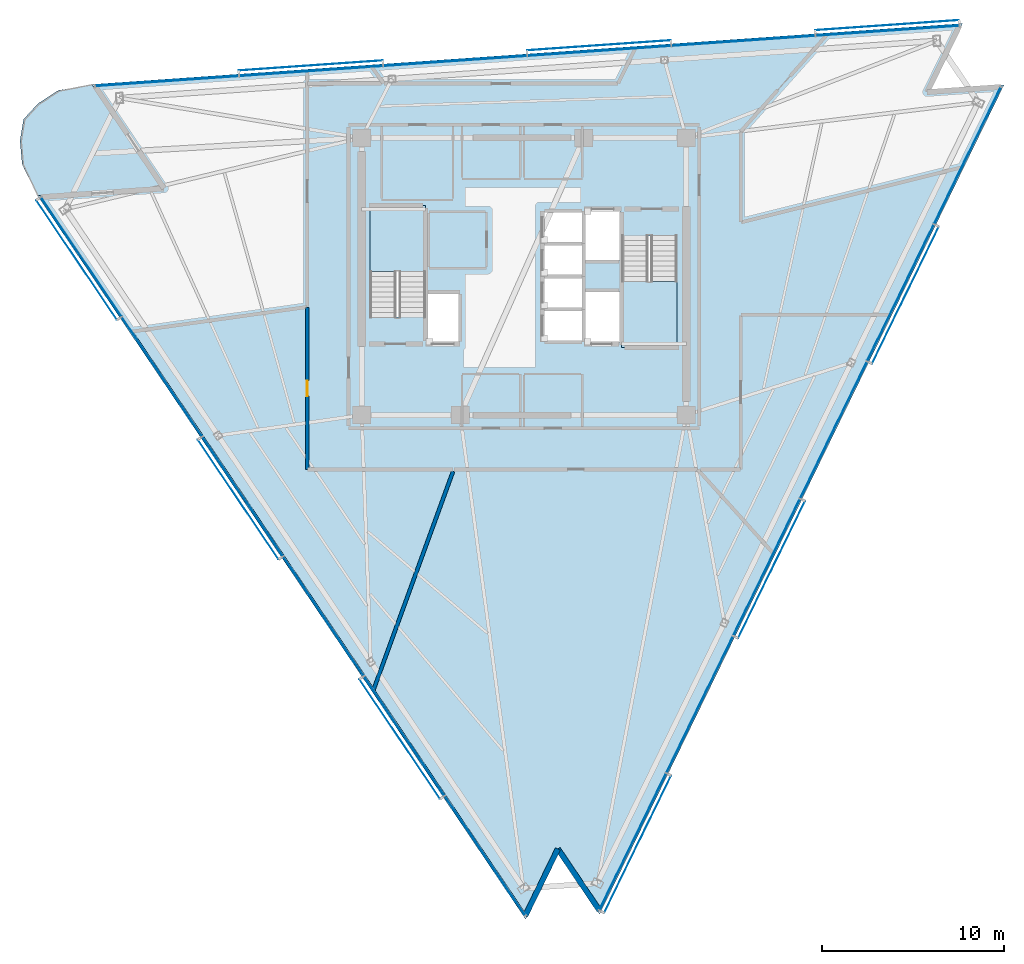
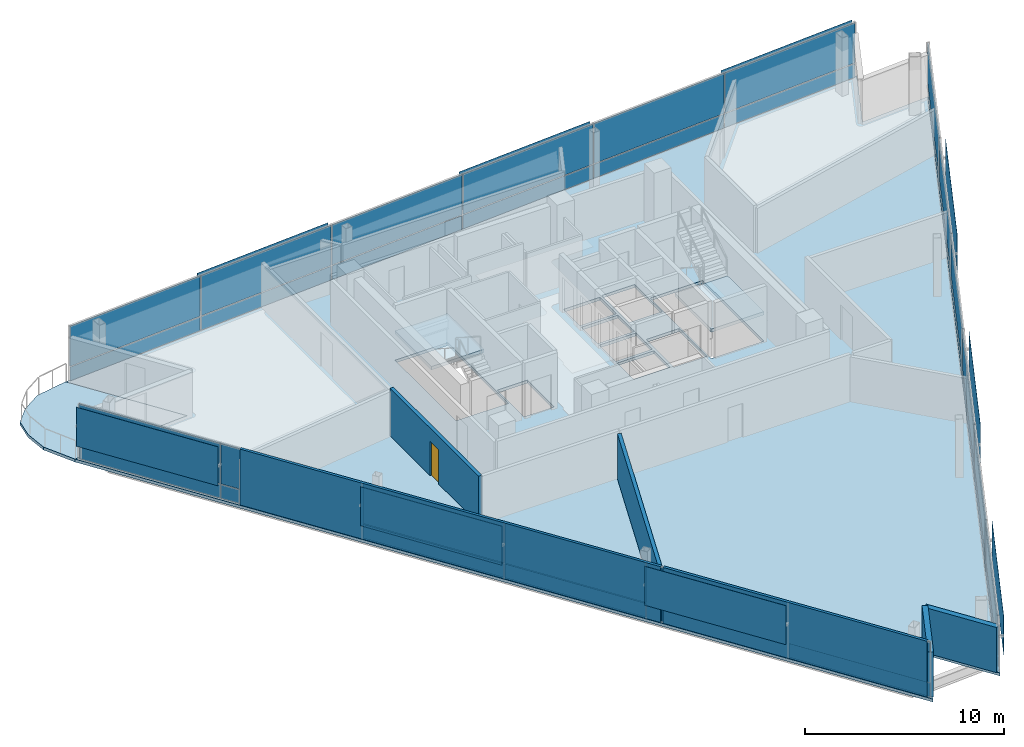
# One storey, part 8 of 16: 45 plates, 6 walls, 4 slabs, 1 door, 1 opening, 5 elements without a shape of their own.
"""IFC4 building model written with IfcOpenShell, lengths in metres."""

from ifc_helpers import new_model, si_unit, direction, frame, frame_2d, origin, origin_2d, place, context, subcontext, project, spatial, polyline, rectangle, outline, extrude, material, layer, layer_set, type_object, element, fill, aggregate, save


model = new_model("IFC4")

# Units and contexts
model_context = context("Model", 3, precision=1e-05, world=origin(), true_north=direction((0.0, 1.0)))
body_context = subcontext(model_context, "Body", "Model", "MODEL_VIEW")
ifc_project = project(units=[si_unit("LENGTHUNIT", "METRE"), si_unit("AREAUNIT", "SQUARE_METRE"), si_unit("VOLUMEUNIT", "CUBIC_METRE"), si_unit("PLANEANGLEUNIT", "RADIAN"), si_unit("MASSUNIT", "GRAM", prefix="KILO")], contexts=[model_context])

# Site, building, storey
site_placement = place(None, origin())
site = spatial("IfcSite", under=ifc_project, at=site_placement, CompositionType="ELEMENT")
building_placement = place(site_placement, origin())
building = spatial("IfcBuilding", under=site, at=building_placement, Name="Tharavind Bronze Gate", CompositionType="ELEMENT")
storey_placement = place(building_placement, frame((0.0, 0.0, 257.0)))
storey = spatial("IfcBuildingStorey", under=building, at=storey_placement, Name="L66", CompositionType="ELEMENT", Elevation=257.0)

# Plates
ifc_material_1 = material(Name="Perforated Bronze Alloy", Category="bronze")
ifc_layer_1 = layer(ifc_material_1, 0.011962890625)
ifc_layer_set_1 = layer_set([ifc_layer_1], Name="Perforated Bronze Alloy")
plate_type_1 = type_object("IfcPlateType", Name="BRONZE PERFORATED SOLAR SCREEN", PredefinedType="USERDEFINED", material=ifc_layer_set_1)
for number, where, z_axis, x_axis, name in (
    (1, (-24.528076171875, 0.904052734375, 0.96630859375), (0.0, 0.0, 1.0), (0.559191456526, -0.82903854853, 0.0), "CW-L66-S1 perforated bronze solar screen 1"),
    (2, (-15.670166015625, -12.228515625, 0.96630859375), (0.0, 0.0, 1.0), (0.559191456526, -0.82903854853, 0.0), "CW-L66-S1 perforated bronze solar screen 3"),
    (3, (-6.812255859375, -25.361083984375, 0.96630859375), (0.0, 0.0, 1.0), (0.559191456526, -0.82903854853, 0.0), "CW-L66-S1 perforated bronze solar screen 5"),
):
    element("IfcPlate", number, at=place(storey_placement, frame(where, z_axis=z_axis, x_axis=x_axis)), inside=storey, type_object=plate_type_1, Name=name, ObjectType="SCREEN", PredefinedType="USERDEFINED", context=body_context, shape_type="SweptSolid", body=[
        extrude(rectangle(XDim=7.900390625, YDim=0.011962890625, at=origin_2d()), origin(), (0.0, 0.0, 1.0), 2.386962890625),
    ])
for number, where, z_axis, x_axis, name in (
    (4, (6.234130859375, -31.12841796875, 0.96630859375), (0.0, 0.0, 1.0), (0.43837271548, 0.898793281196, 0.0), "CW-L66-S2 perforated bronze solar screen 1"),
    (5, (13.57470703125, -16.078369140625, 0.96630859375), (0.0, 0.0, 1.0), (0.43837271548, 0.898793281196, 0.0), "CW-L66-S2 perforated bronze solar screen 3"),
    (6, (20.9150390625, -1.0283203125, 0.96630859375), (0.0, 0.0, 1.0), (0.43837271548, 0.898793281196, 0.0), "CW-L66-S2 perforated bronze solar screen 5"),
):
    element("IfcPlate", number, at=place(storey_placement, frame(where, z_axis=z_axis, x_axis=x_axis)), inside=storey, type_object=plate_type_1, Name=name, ObjectType="SCREEN", PredefinedType="USERDEFINED", context=body_context, shape_type="SweptSolid", body=[
        extrude(rectangle(XDim=8.352294921875, YDim=0.011962890625, at=origin_2d()), origin(), (0.0, 0.0, 1.0), 2.386962890625),
    ])
for number, where, z_axis, x_axis, name in (
    (7, (19.909423828125, 13.779052734375, 0.96630859375), (0.0, 0.0, 1.0), (-0.997563806758, -0.069759955899, 0.0), "CW-L66-S3 perforated bronze solar screen 1"),
    (8, (4.107421875, 12.674072265625, 0.96630859375), (0.0, 0.0, 1.0), (-0.997563806758, -0.069759955899, 0.0), "CW-L66-S3 perforated bronze solar screen 3"),
    (9, (-11.69482421875, 11.569091796875, 0.96630859375), (0.0, 0.0, 1.0), (-0.997563806758, -0.069759955899, 0.0), "CW-L66-S3 perforated bronze solar screen 5"),
):
    element("IfcPlate", number, at=place(storey_placement, frame(where, z_axis=z_axis, x_axis=x_axis)), inside=storey, type_object=plate_type_1, Name=name, ObjectType="SCREEN", PredefinedType="USERDEFINED", context=body_context, shape_type="SweptSolid", body=[
        extrude(rectangle(XDim=7.900390625, YDim=0.011962890625, at=origin_2d()), origin(), (0.0, 0.0, 1.0), 2.386962890625),
    ])

# Curtain wall, plates
ifc_material_2 = material(Name="Anodised Bronze Aluminium", Category="aluminium")
ifc_layer_2 = layer(ifc_material_2, 0.219970703125)
ifc_layer_set_2 = layer_set([ifc_layer_2], Name="Anodised Bronze Aluminium")
curtain_wall_type = type_object("IfcCurtainWallType", Name="UNITISED CURTAIN WALL UPPER OFFICE", PredefinedType="USERDEFINED", material=ifc_layer_set_2)
curtain_wall_1_placement = place(storey_placement, origin())
curtain_wall_1 = element("IfcCurtainWall", 10, at=curtain_wall_1_placement, inside=storey, type_object=curtain_wall_type, Name="L66 unitised curtain wall upper office CW-L66-S1", ObjectType="UNITISED CURTAIN WALL", PredefinedType="USERDEFINED")
ifc_material_3 = material(Name="Patinated Bronze Alloy Sheet", Category="bronze")
ifc_layer_3 = layer(ifc_material_3, 0.01611328125)
ifc_layer_set_3 = layer_set([ifc_layer_3], Name="Patinated Bronze Alloy Sheet")
plate_type_2 = type_object("IfcPlateType", Name="BRONZE SPANDREL CLADDING PANEL 16", PredefinedType="CURTAIN_PANEL", material=ifc_layer_set_3)
plate_1_placement = place(storey_placement, frame((-24.283447265625, 1.069091796875, 0.0263671875), z_axis=(0.0, 0.0, 1.0), x_axis=(0.559191456526, -0.82903854853, 0.0)))
plate_1 = element("IfcPlate", 11, at=plate_1_placement, type_object=plate_type_2, Name="CW-L66-S1 bronze spandrel panel 1", PredefinedType="CURTAIN_PANEL", context=body_context, shape_type="SweptSolid", body=[
    extrude(rectangle(XDim=7.8671875, YDim=0.01611328125, at=origin_2d()), origin(), (0.0, 0.0, 1.0), 0.846923828125),
])
plate_2_placement = place(storey_placement, frame((-19.8544921875, -5.497314453125, 0.0263671875), z_axis=(0.0, 0.0, 1.0), x_axis=(0.559191456526, -0.82903854853, 0.0)))
plate_2 = element("IfcPlate", 12, at=plate_2_placement, type_object=plate_type_2, Name="CW-L66-S1 bronze spandrel panel 2", PredefinedType="CURTAIN_PANEL", context=body_context, shape_type="SweptSolid", body=[
    extrude(rectangle(XDim=7.8671875, YDim=0.01611328125, at=origin_2d()), origin(), (0.0, 0.0, 1.0), 0.846923828125),
])
plate_3_placement = place(storey_placement, frame((-15.425537109375, -12.0634765625, 0.0263671875), z_axis=(0.0, 0.0, 1.0), x_axis=(0.559191456526, -0.82903854853, 0.0)))
plate_3 = element("IfcPlate", 13, at=plate_3_placement, type_object=plate_type_2, Name="CW-L66-S1 bronze spandrel panel 3", PredefinedType="CURTAIN_PANEL", context=body_context, shape_type="SweptSolid", body=[
    extrude(rectangle(XDim=7.8671875, YDim=0.01611328125, at=origin_2d()), origin(), (0.0, 0.0, 1.0), 0.846923828125),
])
plate_4_placement = place(storey_placement, frame((-10.99658203125, -18.629638671875, 0.0263671875), z_axis=(0.0, 0.0, 1.0), x_axis=(0.559191456526, -0.82903854853, 0.0)))
plate_4 = element("IfcPlate", 14, at=plate_4_placement, type_object=plate_type_2, Name="CW-L66-S1 bronze spandrel panel 4", PredefinedType="CURTAIN_PANEL", context=body_context, shape_type="SweptSolid", body=[
    extrude(rectangle(XDim=7.8671875, YDim=0.01611328125, at=origin_2d()), origin(), (0.0, 0.0, 1.0), 0.846923828125),
])
plate_5_placement = place(storey_placement, frame((-6.567626953125, -25.196044921875, 0.0263671875), z_axis=(0.0, 0.0, 1.0), x_axis=(0.559191456526, -0.82903854853, 0.0)))
plate_5 = element("IfcPlate", 15, at=plate_5_placement, type_object=plate_type_2, Name="CW-L66-S1 bronze spandrel panel 5", PredefinedType="CURTAIN_PANEL", context=body_context, shape_type="SweptSolid", body=[
    extrude(rectangle(XDim=7.8671875, YDim=0.01611328125, at=origin_2d()), origin(), (0.0, 0.0, 1.0), 0.846923828125),
])
plate_6_placement = place(storey_placement, frame((-2.138671875, -31.76220703125, 0.0263671875), z_axis=(0.0, 0.0, 1.0), x_axis=(0.559191456526, -0.82903854853, 0.0)))
plate_6 = element("IfcPlate", 16, at=plate_6_placement, type_object=plate_type_2, Name="CW-L66-S1 bronze spandrel panel 6", PredefinedType="CURTAIN_PANEL", context=body_context, shape_type="SweptSolid", body=[
    extrude(rectangle(XDim=7.8671875, YDim=0.01611328125, at=origin_2d()), origin(), (0.0, 0.0, 1.0), 0.846923828125),
])

curtain_wall_2_placement = place(storey_placement, origin())
curtain_wall_2 = element("IfcCurtainWall", 17, at=curtain_wall_2_placement, inside=storey, type_object=curtain_wall_type, Name="L66 unitised curtain wall upper office CW-L66-S2", ObjectType="UNITISED CURTAIN WALL", PredefinedType="USERDEFINED")
plate_7_placement = place(storey_placement, frame((5.968994140625, -30.9990234375, 0.0263671875), z_axis=(0.0, 0.0, 1.0), x_axis=(0.43837271548, 0.898793281196, 0.0)))
plate_7 = element("IfcPlate", 18, at=plate_7_placement, type_object=plate_type_2, Name="CW-L66-S2 bronze spandrel panel 1", PredefinedType="CURTAIN_PANEL", context=body_context, shape_type="SweptSolid", body=[
    extrude(rectangle(XDim=8.3193359375, YDim=0.01611328125, at=origin_2d()), origin(), (0.0, 0.0, 1.0), 0.846923828125),
])
plate_8_placement = place(storey_placement, frame((9.639404296875, -23.47412109375, 0.0263671875), z_axis=(0.0, 0.0, 1.0), x_axis=(0.43837271548, 0.898793281196, 0.0)))
plate_8 = element("IfcPlate", 19, at=plate_8_placement, type_object=plate_type_2, Name="CW-L66-S2 bronze spandrel panel 2", PredefinedType="CURTAIN_PANEL", context=body_context, shape_type="SweptSolid", body=[
    extrude(rectangle(XDim=8.3193359375, YDim=0.01611328125, at=origin_2d()), origin(), (0.0, 0.0, 1.0), 0.846923828125),
])
plate_9_placement = place(storey_placement, frame((13.3095703125, -15.94921875, 0.0263671875), z_axis=(0.0, 0.0, 1.0), x_axis=(0.43837271548, 0.898793281196, 0.0)))
plate_9 = element("IfcPlate", 20, at=plate_9_placement, type_object=plate_type_2, Name="CW-L66-S2 bronze spandrel panel 3", PredefinedType="CURTAIN_PANEL", context=body_context, shape_type="SweptSolid", body=[
    extrude(rectangle(XDim=8.3193359375, YDim=0.01611328125, at=origin_2d()), origin(), (0.0, 0.0, 1.0), 0.846923828125),
])
plate_10_placement = place(storey_placement, frame((16.979736328125, -8.424072265625, 0.0263671875), z_axis=(0.0, 0.0, 1.0), x_axis=(0.43837271548, 0.898793281196, 0.0)))
plate_10 = element("IfcPlate", 21, at=plate_10_placement, type_object=plate_type_2, Name="CW-L66-S2 bronze spandrel panel 4", PredefinedType="CURTAIN_PANEL", context=body_context, shape_type="SweptSolid", body=[
    extrude(rectangle(XDim=8.3193359375, YDim=0.01611328125, at=origin_2d()), origin(), (0.0, 0.0, 1.0), 0.846923828125),
])
plate_11_placement = place(storey_placement, frame((20.64990234375, -0.89892578125, 0.0263671875), z_axis=(0.0, 0.0, 1.0), x_axis=(0.43837271548, 0.898793281196, 0.0)))
plate_11 = element("IfcPlate", 22, at=plate_11_placement, type_object=plate_type_2, Name="CW-L66-S2 bronze spandrel panel 5", PredefinedType="CURTAIN_PANEL", context=body_context, shape_type="SweptSolid", body=[
    extrude(rectangle(XDim=8.3193359375, YDim=0.01611328125, at=origin_2d()), origin(), (0.0, 0.0, 1.0), 0.846923828125),
])
plate_12_placement = place(storey_placement, frame((24.3203125, 6.6259765625, 0.0263671875), z_axis=(0.0, 0.0, 1.0), x_axis=(0.43837271548, 0.898793281196, 0.0)))
plate_12 = element("IfcPlate", 23, at=plate_12_placement, type_object=plate_type_2, Name="CW-L66-S2 bronze spandrel panel 6", PredefinedType="CURTAIN_PANEL", context=body_context, shape_type="SweptSolid", body=[
    extrude(rectangle(XDim=8.3193359375, YDim=0.01611328125, at=origin_2d()), origin(), (0.0, 0.0, 1.0), 0.846923828125),
])

curtain_wall_3_placement = place(storey_placement, origin())
curtain_wall_3 = element("IfcCurtainWall", 24, at=curtain_wall_3_placement, inside=storey, type_object=curtain_wall_type, Name="L66 unitised curtain wall upper office CW-L66-S3", ObjectType="UNITISED CURTAIN WALL", PredefinedType="USERDEFINED")
plate_13_placement = place(storey_placement, frame((19.929931640625, 13.48486328125, 0.0263671875), z_axis=(0.0, 0.0, 1.0), x_axis=(-0.997563806758, -0.069759955899, 0.0)))
plate_13 = element("IfcPlate", 25, at=plate_13_placement, type_object=plate_type_2, Name="CW-L66-S3 bronze spandrel panel 1", PredefinedType="CURTAIN_PANEL", context=body_context, shape_type="SweptSolid", body=[
    extrude(rectangle(XDim=7.8671875, YDim=0.01611328125, at=origin_2d()), origin(), (0.0, 0.0, 1.0), 0.846923828125),
])
plate_14_placement = place(storey_placement, frame((12.02880859375, 12.932373046875, 0.0263671875), z_axis=(0.0, 0.0, 1.0), x_axis=(-0.997563806758, -0.069759955899, 0.0)))
plate_14 = element("IfcPlate", 26, at=plate_14_placement, type_object=plate_type_2, Name="CW-L66-S3 bronze spandrel panel 2", PredefinedType="CURTAIN_PANEL", context=body_context, shape_type="SweptSolid", body=[
    extrude(rectangle(XDim=7.8671875, YDim=0.01611328125, at=origin_2d()), origin(), (0.0, 0.0, 1.0), 0.846923828125),
])
plate_15_placement = place(storey_placement, frame((4.1279296875, 12.3798828125, 0.0263671875), z_axis=(0.0, 0.0, 1.0), x_axis=(-0.997563806758, -0.069759955899, 0.0)))
plate_15 = element("IfcPlate", 27, at=plate_15_placement, type_object=plate_type_2, Name="CW-L66-S3 bronze spandrel panel 3", PredefinedType="CURTAIN_PANEL", context=body_context, shape_type="SweptSolid", body=[
    extrude(rectangle(XDim=7.8671875, YDim=0.01611328125, at=origin_2d()), origin(), (0.0, 0.0, 1.0), 0.846923828125),
])
plate_16_placement = place(storey_placement, frame((-3.773193359375, 11.827392578125, 0.0263671875), z_axis=(0.0, 0.0, 1.0), x_axis=(-0.997563806758, -0.069759955899, 0.0)))
plate_16 = element("IfcPlate", 28, at=plate_16_placement, type_object=plate_type_2, Name="CW-L66-S3 bronze spandrel panel 4", PredefinedType="CURTAIN_PANEL", context=body_context, shape_type="SweptSolid", body=[
    extrude(rectangle(XDim=7.8671875, YDim=0.01611328125, at=origin_2d()), origin(), (0.0, 0.0, 1.0), 0.846923828125),
])
plate_17_placement = place(storey_placement, frame((-11.67431640625, 11.27490234375, 0.0263671875), z_axis=(0.0, 0.0, 1.0), x_axis=(-0.997563806758, -0.069759955899, 0.0)))
plate_17 = element("IfcPlate", 29, at=plate_17_placement, type_object=plate_type_2, Name="CW-L66-S3 bronze spandrel panel 5", PredefinedType="CURTAIN_PANEL", context=body_context, shape_type="SweptSolid", body=[
    extrude(rectangle(XDim=7.8671875, YDim=0.01611328125, at=origin_2d()), origin(), (0.0, 0.0, 1.0), 0.846923828125),
])
plate_18_placement = place(storey_placement, frame((-19.5751953125, 10.722412109375, 0.0263671875), z_axis=(0.0, 0.0, 1.0), x_axis=(-0.997563806758, -0.069759955899, 0.0)))
plate_18 = element("IfcPlate", 30, at=plate_18_placement, type_object=plate_type_2, Name="CW-L66-S3 bronze spandrel panel 6", PredefinedType="CURTAIN_PANEL", context=body_context, shape_type="SweptSolid", body=[
    extrude(rectangle(XDim=7.8671875, YDim=0.01611328125, at=origin_2d()), origin(), (0.0, 0.0, 1.0), 0.846923828125),
])

# Slab
ifc_material_4 = material(Name="Concrete C40/50", Category="concrete")
ifc_layer_4 = layer(ifc_material_4, 0.179931640625)
ifc_layer_set_4 = layer_set([ifc_layer_4], Name="Concrete C40/50")
slab_type_1 = type_object("IfcSlabType", Name="EXTERIOR BALCONY SLAB 180", PredefinedType="FLOOR", material=ifc_layer_set_4)
slab_1_placement = place(storey_placement, frame((0.0, 0.0, -0.179931640625)))
element("IfcSlab", 31, at=slab_1_placement, inside=storey, type_object=slab_type_1, Name="L66 northeast tree balcony slab", PredefinedType="FLOOR", context=body_context, shape_type="SweptSolid", body=[
    extrude(outline(polyline([(-25.535888671875, 10.203125), (-26.644287109375, 9.48681640625), (-27.443359375, 8.618896484375), (-27.63525390625, 7.455322265625), (-27.51708984375, 6.140625), (-26.677734375, 4.43994140625), (-19.914306640625, 4.912841796875), (-23.70556640625, 10.53369140625), (-25.535888671875, 10.203125)])), origin(), (0.0, 0.0, 1.0), 0.179931640625),
])

# Stair, slab
stair_type = type_object("IfcStairType", Name="CORE HALF TURN STAIR 1450", PredefinedType="HALF_TURN_STAIR", material=ifc_material_4)
stair_1_placement = place(storey_placement, origin())
stair_1 = element("IfcStair", 32, at=stair_1_placement, inside=storey, type_object=stair_type, Name="L66 Protected Exit Stair ST1", PredefinedType="HALF_TURN_STAIR")
ifc_layer_5 = layer(ifc_material_4, 0.199951171875)
ifc_layer_set_5 = layer_set([ifc_layer_5], Name="Concrete C40/50")
slab_type_2 = type_object("IfcSlabType", Name="STAIR LANDING SLAB 200", PredefinedType="LANDING", material=ifc_layer_set_5)
slab_2_placement = place(storey_placement, frame((0.0, 0.0, 1.60009765625)))
slab_2 = element("IfcSlab", 33, at=slab_2_placement, type_object=slab_type_2, Name="ST1 landing 1", PredefinedType="LANDING", context=body_context, shape_type="SweptSolid", body=[
    extrude(outline(polyline([(-5.39990234375, 0.27001953125), (-5.39990234375, 3.89990234375), (-8.449951171875, 3.89990234375), (-8.449951171875, 0.27001953125), (-5.39990234375, 0.27001953125)])), origin(), (0.0, 0.0, 1.0), 0.199951171875),
])
aggregate(stair_1, [slab_2])

stair_2_placement = place(storey_placement, origin())
stair_2 = element("IfcStair", 34, at=stair_2_placement, inside=storey, type_object=stair_type, Name="L66 Protected Exit Stair ST2", PredefinedType="HALF_TURN_STAIR")
slab_3_placement = place(storey_placement, frame((0.0, 0.0, 1.60009765625)))
slab_3 = element("IfcSlab", 35, at=slab_3_placement, type_object=slab_type_2, Name="ST2 landing 1", PredefinedType="LANDING", context=body_context, shape_type="SweptSolid", body=[
    extrude(outline(polyline([(5.35009765625, -0.27001953125), (5.35009765625, -3.89990234375), (8.39990234375, -3.89990234375), (8.39990234375, -0.27001953125), (5.35009765625, -0.27001953125)])), origin(), (0.0, 0.0, 1.0), 0.199951171875),
])
aggregate(stair_2, [slab_3])

# Slab
ifc_layer_6 = layer(ifc_material_4, 0.179931640625)
ifc_layer_set_6 = layer_set([ifc_layer_6], Name="Concrete C40/50")
slab_type_3 = type_object("IfcSlabType", Name="STRUCTURAL FLOOR SLAB 180", PredefinedType="FLOOR", material=ifc_layer_set_6)
slab_4_placement = place(storey_placement, frame((0.0, 0.0, -0.179931640625)))
element("IfcSlab", 36, at=slab_4_placement, inside=storey, type_object=slab_type_3, Name="L66 main structural floor slab", PredefinedType="FLOOR", context=body_context, shape_type="SweptSolid", body=[
    extrude(outline(polyline([(-23.70556640625, 10.53369140625), (-19.914306640625, 4.912841796875), (-26.677734375, 4.43994140625), (0.08984375, -35.244873046875), (1.873291015625, -31.588623046875), (4.14794921875, -34.961181640625), (26.321044921875, 10.500244140625), (22.262939453125, 10.216552734375), (24.04638671875, 13.872802734375), (-23.70556640625, 10.53369140625)]), holes=[polyline([(-5.39990234375, -2.215087890625), (-5.39990234375, 3.89990234375), (-8.449951171875, 3.89990234375), (-8.449951171875, -2.215087890625), (-5.39990234375, -2.215087890625)]), polyline([(5.35009765625, 2.215087890625), (5.35009765625, -3.89990234375), (8.39990234375, -3.89990234375), (8.39990234375, 2.215087890625), (5.35009765625, 2.215087890625)]), polyline([(1.080078125, -3.52001953125), (3.199951171875, -3.52001953125), (3.199951171875, -1.8798828125), (1.080078125, -1.8798828125), (1.080078125, -3.52001953125)]), polyline([(1.080078125, -1.719970703125), (3.199951171875, -1.719970703125), (3.199951171875, -0.080078125), (1.080078125, -0.080078125), (1.080078125, -1.719970703125)]), polyline([(1.080078125, 0.080078125), (3.199951171875, 0.080078125), (3.199951171875, 1.719970703125), (1.080078125, 1.719970703125), (1.080078125, 0.080078125)]), polyline([(1.080078125, 1.8798828125), (3.199951171875, 1.8798828125), (3.199951171875, 3.52001953125), (1.080078125, 3.52001953125), (1.080078125, 1.8798828125)]), polyline([(-5.320068359375, -3.6201171875), (-3.580078125, -3.6201171875), (-3.580078125, -0.929931640625), (-5.320068359375, -0.929931640625), (-5.320068359375, -3.6201171875)]), polyline([(3.360107421875, 0.8798828125), (5.27001953125, 0.8798828125), (5.27001953125, 3.6201171875), (3.360107421875, 3.6201171875), (3.360107421875, 0.8798828125)]), polyline([(3.360107421875, -3.6201171875), (5.27001953125, -3.6201171875), (5.27001953125, -0.830078125), (3.360107421875, -0.830078125), (3.360107421875, -3.6201171875)])]), origin(), (0.0, 0.0, 1.0), 0.179931640625),
])

# Plate
ifc_material_5 = material(Name="Triple Solar Control Glazing", Category="glass")
ifc_layer_7 = layer(ifc_material_5, 0.0439453125)
ifc_layer_set_7 = layer_set([ifc_layer_7], Name="Triple Solar Control Glazing")
plate_type_3 = type_object("IfcPlateType", Name="TRIPLE GLAZED FACADE PANEL 44", PredefinedType="CURTAIN_PANEL", material=ifc_layer_set_7)
plate_19_placement = place(storey_placement, frame((-24.283447265625, 1.069091796875, 0.92626953125), z_axis=(0.0, 0.0, 1.0), x_axis=(0.559191456526, -0.82903854853, 0.0)))
plate_19 = element("IfcPlate", 37, at=plate_19_placement, type_object=plate_type_3, Name="CW-L66-S1 vision glazing panel 1", PredefinedType="CURTAIN_PANEL", context=body_context, shape_type="SweptSolid", body=[
    extrude(rectangle(XDim=7.8671875, YDim=0.0439453125, at=origin_2d()), origin(), (0.0, 0.0, 1.0), 2.467041015625),
])

plate_20_placement = place(storey_placement, frame((-19.8544921875, -5.497314453125, 0.92626953125), z_axis=(0.0, 0.0, 1.0), x_axis=(0.559191456526, -0.82903854853, 0.0)))
plate_20 = element("IfcPlate", 38, at=plate_20_placement, type_object=plate_type_3, Name="CW-L66-S1 vision glazing panel 2", PredefinedType="CURTAIN_PANEL", context=body_context, shape_type="SweptSolid", body=[
    extrude(rectangle(XDim=7.8671875, YDim=0.0439453125, at=origin_2d()), origin(), (0.0, 0.0, 1.0), 2.467041015625),
])

plate_21_placement = place(storey_placement, frame((-15.425537109375, -12.0634765625, 0.92626953125), z_axis=(0.0, 0.0, 1.0), x_axis=(0.559191456526, -0.82903854853, 0.0)))
plate_21 = element("IfcPlate", 39, at=plate_21_placement, type_object=plate_type_3, Name="CW-L66-S1 vision glazing panel 3", PredefinedType="CURTAIN_PANEL", context=body_context, shape_type="SweptSolid", body=[
    extrude(rectangle(XDim=7.8671875, YDim=0.0439453125, at=origin_2d()), origin(), (0.0, 0.0, 1.0), 2.467041015625),
])

plate_22_placement = place(storey_placement, frame((-10.99658203125, -18.629638671875, 0.92626953125), z_axis=(0.0, 0.0, 1.0), x_axis=(0.559191456526, -0.82903854853, 0.0)))
plate_22 = element("IfcPlate", 40, at=plate_22_placement, type_object=plate_type_3, Name="CW-L66-S1 vision glazing panel 4", PredefinedType="CURTAIN_PANEL", context=body_context, shape_type="SweptSolid", body=[
    extrude(rectangle(XDim=7.8671875, YDim=0.0439453125, at=origin_2d()), origin(), (0.0, 0.0, 1.0), 2.467041015625),
])

plate_23_placement = place(storey_placement, frame((-6.567626953125, -25.196044921875, 0.92626953125), z_axis=(0.0, 0.0, 1.0), x_axis=(0.559191456526, -0.82903854853, 0.0)))
plate_23 = element("IfcPlate", 41, at=plate_23_placement, type_object=plate_type_3, Name="CW-L66-S1 vision glazing panel 5", PredefinedType="CURTAIN_PANEL", context=body_context, shape_type="SweptSolid", body=[
    extrude(rectangle(XDim=7.8671875, YDim=0.0439453125, at=origin_2d()), origin(), (0.0, 0.0, 1.0), 2.467041015625),
])

plate_24_placement = place(storey_placement, frame((-2.138671875, -31.76220703125, 0.92626953125), z_axis=(0.0, 0.0, 1.0), x_axis=(0.559191456526, -0.82903854853, 0.0)))
plate_24 = element("IfcPlate", 42, at=plate_24_placement, type_object=plate_type_3, Name="CW-L66-S1 vision glazing panel 6", PredefinedType="CURTAIN_PANEL", context=body_context, shape_type="SweptSolid", body=[
    extrude(rectangle(XDim=7.8671875, YDim=0.0439453125, at=origin_2d()), origin(), (0.0, 0.0, 1.0), 2.467041015625),
])

aggregate(curtain_wall_1, [plate_1, plate_19, plate_2, plate_20, plate_3, plate_21, plate_4, plate_22, plate_5, plate_23, plate_6, plate_24])

plate_25_placement = place(storey_placement, frame((5.968994140625, -30.9990234375, 0.92626953125), z_axis=(0.0, 0.0, 1.0), x_axis=(0.43837271548, 0.898793281196, 0.0)))
plate_25 = element("IfcPlate", 43, at=plate_25_placement, type_object=plate_type_3, Name="CW-L66-S2 vision glazing panel 1", PredefinedType="CURTAIN_PANEL", context=body_context, shape_type="SweptSolid", body=[
    extrude(rectangle(XDim=8.3193359375, YDim=0.0439453125, at=origin_2d()), origin(), (0.0, 0.0, 1.0), 2.467041015625),
])

plate_26_placement = place(storey_placement, frame((9.639404296875, -23.47412109375, 0.92626953125), z_axis=(0.0, 0.0, 1.0), x_axis=(0.43837271548, 0.898793281196, 0.0)))
plate_26 = element("IfcPlate", 44, at=plate_26_placement, type_object=plate_type_3, Name="CW-L66-S2 vision glazing panel 2", PredefinedType="CURTAIN_PANEL", context=body_context, shape_type="SweptSolid", body=[
    extrude(rectangle(XDim=8.3193359375, YDim=0.0439453125, at=origin_2d()), origin(), (0.0, 0.0, 1.0), 2.467041015625),
])

plate_27_placement = place(storey_placement, frame((13.3095703125, -15.94921875, 0.92626953125), z_axis=(0.0, 0.0, 1.0), x_axis=(0.43837271548, 0.898793281196, 0.0)))
plate_27 = element("IfcPlate", 45, at=plate_27_placement, type_object=plate_type_3, Name="CW-L66-S2 vision glazing panel 3", PredefinedType="CURTAIN_PANEL", context=body_context, shape_type="SweptSolid", body=[
    extrude(rectangle(XDim=8.3193359375, YDim=0.0439453125, at=origin_2d()), origin(), (0.0, 0.0, 1.0), 2.467041015625),
])

plate_28_placement = place(storey_placement, frame((16.979736328125, -8.424072265625, 0.92626953125), z_axis=(0.0, 0.0, 1.0), x_axis=(0.43837271548, 0.898793281196, 0.0)))
plate_28 = element("IfcPlate", 46, at=plate_28_placement, type_object=plate_type_3, Name="CW-L66-S2 vision glazing panel 4", PredefinedType="CURTAIN_PANEL", context=body_context, shape_type="SweptSolid", body=[
    extrude(rectangle(XDim=8.3193359375, YDim=0.0439453125, at=origin_2d()), origin(), (0.0, 0.0, 1.0), 2.467041015625),
])

plate_29_placement = place(storey_placement, frame((20.64990234375, -0.89892578125, 0.92626953125), z_axis=(0.0, 0.0, 1.0), x_axis=(0.43837271548, 0.898793281196, 0.0)))
plate_29 = element("IfcPlate", 47, at=plate_29_placement, type_object=plate_type_3, Name="CW-L66-S2 vision glazing panel 5", PredefinedType="CURTAIN_PANEL", context=body_context, shape_type="SweptSolid", body=[
    extrude(rectangle(XDim=8.3193359375, YDim=0.0439453125, at=origin_2d()), origin(), (0.0, 0.0, 1.0), 2.467041015625),
])

plate_30_placement = place(storey_placement, frame((24.3203125, 6.6259765625, 0.92626953125), z_axis=(0.0, 0.0, 1.0), x_axis=(0.43837271548, 0.898793281196, 0.0)))
plate_30 = element("IfcPlate", 48, at=plate_30_placement, type_object=plate_type_3, Name="CW-L66-S2 vision glazing panel 6", PredefinedType="CURTAIN_PANEL", context=body_context, shape_type="SweptSolid", body=[
    extrude(rectangle(XDim=8.3193359375, YDim=0.0439453125, at=origin_2d()), origin(), (0.0, 0.0, 1.0), 2.467041015625),
])

aggregate(curtain_wall_2, [plate_7, plate_25, plate_8, plate_26, plate_9, plate_27, plate_10, plate_28, plate_11, plate_29, plate_12, plate_30])

plate_31_placement = place(storey_placement, frame((19.929931640625, 13.48486328125, 0.92626953125), z_axis=(0.0, 0.0, 1.0), x_axis=(-0.997563806758, -0.069759955899, 0.0)))
plate_31 = element("IfcPlate", 49, at=plate_31_placement, type_object=plate_type_3, Name="CW-L66-S3 vision glazing panel 1", PredefinedType="CURTAIN_PANEL", context=body_context, shape_type="SweptSolid", body=[
    extrude(rectangle(XDim=7.8671875, YDim=0.0439453125, at=origin_2d()), origin(), (0.0, 0.0, 1.0), 2.467041015625),
])

plate_32_placement = place(storey_placement, frame((12.02880859375, 12.932373046875, 0.92626953125), z_axis=(0.0, 0.0, 1.0), x_axis=(-0.997563806758, -0.069759955899, 0.0)))
plate_32 = element("IfcPlate", 50, at=plate_32_placement, type_object=plate_type_3, Name="CW-L66-S3 vision glazing panel 2", PredefinedType="CURTAIN_PANEL", context=body_context, shape_type="SweptSolid", body=[
    extrude(rectangle(XDim=7.8671875, YDim=0.0439453125, at=origin_2d()), origin(), (0.0, 0.0, 1.0), 2.467041015625),
])

plate_33_placement = place(storey_placement, frame((4.1279296875, 12.3798828125, 0.92626953125), z_axis=(0.0, 0.0, 1.0), x_axis=(-0.997563806758, -0.069759955899, 0.0)))
plate_33 = element("IfcPlate", 51, at=plate_33_placement, type_object=plate_type_3, Name="CW-L66-S3 vision glazing panel 3", PredefinedType="CURTAIN_PANEL", context=body_context, shape_type="SweptSolid", body=[
    extrude(rectangle(XDim=7.8671875, YDim=0.0439453125, at=origin_2d()), origin(), (0.0, 0.0, 1.0), 2.467041015625),
])

plate_34_placement = place(storey_placement, frame((-3.773193359375, 11.827392578125, 0.92626953125), z_axis=(0.0, 0.0, 1.0), x_axis=(-0.997563806758, -0.069759955899, 0.0)))
plate_34 = element("IfcPlate", 52, at=plate_34_placement, type_object=plate_type_3, Name="CW-L66-S3 vision glazing panel 4", PredefinedType="CURTAIN_PANEL", context=body_context, shape_type="SweptSolid", body=[
    extrude(rectangle(XDim=7.8671875, YDim=0.0439453125, at=origin_2d()), origin(), (0.0, 0.0, 1.0), 2.467041015625),
])

plate_35_placement = place(storey_placement, frame((-11.67431640625, 11.27490234375, 0.92626953125), z_axis=(0.0, 0.0, 1.0), x_axis=(-0.997563806758, -0.069759955899, 0.0)))
plate_35 = element("IfcPlate", 53, at=plate_35_placement, type_object=plate_type_3, Name="CW-L66-S3 vision glazing panel 5", PredefinedType="CURTAIN_PANEL", context=body_context, shape_type="SweptSolid", body=[
    extrude(rectangle(XDim=7.8671875, YDim=0.0439453125, at=origin_2d()), origin(), (0.0, 0.0, 1.0), 2.467041015625),
])

plate_36_placement = place(storey_placement, frame((-19.5751953125, 10.722412109375, 0.92626953125), z_axis=(0.0, 0.0, 1.0), x_axis=(-0.997563806758, -0.069759955899, 0.0)))
plate_36 = element("IfcPlate", 54, at=plate_36_placement, type_object=plate_type_3, Name="CW-L66-S3 vision glazing panel 6", PredefinedType="CURTAIN_PANEL", context=body_context, shape_type="SweptSolid", body=[
    extrude(rectangle(XDim=7.8671875, YDim=0.0439453125, at=origin_2d()), origin(), (0.0, 0.0, 1.0), 2.467041015625),
])

aggregate(curtain_wall_3, [plate_13, plate_31, plate_14, plate_32, plate_15, plate_33, plate_16, plate_34, plate_17, plate_35, plate_18, plate_36])

# Walls
ifc_layer_8 = layer(ifc_material_4, 0.300048828125)
ifc_layer_set_8 = layer_set([ifc_layer_8], Name="Concrete C40/50")
wall_type_1 = type_object("IfcWallType", Name="EXTERIOR SPANDREL WALL 300", PredefinedType="STANDARD", material=ifc_layer_set_8)
wall_1_placement = place(storey_placement, frame((0.075927734375, -35.04541015625, 0.0), z_axis=(0.0, 0.0, 1.0), x_axis=(0.438357414153, 0.898800744024, 0.0)))
element("IfcWall", 55, at=wall_1_placement, inside=storey, type_object=wall_type_1, Name="L66 notch cheek wall 2A", PredefinedType="STANDARD", context=body_context, shape_type="SweptSolid", body=[
    extrude(rectangle(XDim=4.06787109375, YDim=0.300048828125, at=frame_2d((2.033935546875, 0.0))), origin(), (0.0, 0.0, 1.0), 2.764892578125),
])
wall_2_placement = place(storey_placement, frame((1.859130859375, -31.38916015625, 0.0), z_axis=(0.0, 0.0, 1.0), x_axis=(0.559206900681, -0.829028131145, 0.0)))
element("IfcWall", 56, at=wall_2_placement, inside=storey, type_object=wall_type_1, Name="L66 notch cheek wall 2B", PredefinedType="STANDARD", context=body_context, shape_type="SweptSolid", body=[
    extrude(rectangle(XDim=4.068115234375, YDim=0.300048828125, at=frame_2d((2.0341796875, 0.0))), origin(), (0.0, 0.0, 1.0), 2.764892578125),
])

# Wall, opening, door
ifc_material_6 = material(Name="Aerated Concrete Block", Category="concrete")
ifc_layer_9 = layer(ifc_material_6, 0.199951171875)
ifc_layer_set_9 = layer_set([ifc_layer_9], Name="Aerated Concrete Block")
wall_type_2 = type_object("IfcWallType", Name="FIRE RATED PARTITION 200", PredefinedType="PARTITIONING", material=ifc_layer_set_9)
wall_3_placement = place(storey_placement, frame((-11.8798828125, -1.698486328125, 0.0), z_axis=(0.0, 0.0, 1.0), x_axis=(0.0, -1.0, 0.0)))
wall_3 = element("IfcWall", 57, at=wall_3_placement, inside=storey, type_object=wall_type_2, Name="L66 Public Restrooms Block partition", PredefinedType="PARTITIONING", context=body_context, shape_type="SweptSolid", body=[
    extrude(rectangle(XDim=8.880859375, YDim=0.199951171875, at=frame_2d((4.4404296875, 0.0))), origin(), (0.0, 0.0, 1.0), 2.9150390625),
])
opening_placement = place(wall_3_placement, frame((4.01611328125, 0.0, 0.0)))
opening = element("IfcOpeningElement", 58, at=opening_placement, cuts=wall_3, Name="Opening ID06", PredefinedType="OPENING", context=body_context, shape_type="SweptSolid", body=[
    extrude(rectangle(XDim=0.85009765625, YDim=2.10009765625, at=frame_2d((0.425048828125, 1.050048828125))), frame((0.0, 0.11009765625, 0.0), z_axis=(0.0, -1.0, 0.0), x_axis=(1.0, 0.0, 0.0)), (0.0, 0.0, 1.0), 0.219951171875),
])
ifc_material_7 = material(Name="Moisture-Resistant Timber", Category="wood")
door_type = type_object("IfcDoorType", Name="BATHROOM PRIVACY DOOR 850X2100", OperationType="SINGLE_SWING_RIGHT", PredefinedType="DOOR", material=ifc_material_7)
door_placement = place(opening_placement, origin())
door = element("IfcDoor", 59, at=door_placement, inside=storey, type_object=door_type, Name="L66 Public Restrooms Block door", OperationType="SINGLE_SWING_RIGHT", OverallHeight=2.10009765625, OverallWidth=0.85009765625, PredefinedType="DOOR", context=body_context, shape_type="SweptSolid", body=[
    extrude(rectangle(XDim=0.85009765625, YDim=2.10009765625, at=frame_2d((0.425048828125, 1.050048828125))), frame((0.0, 0.02490234375, 0.0), z_axis=(0.0, -1.0, 0.0), x_axis=(1.0, 0.0, 0.0)), (0.0, 0.0, 1.0), 0.050048828125),
])
fill(opening, door)

# Walls
wall_4_placement = place(storey_placement, frame((-3.888916015625, -10.68505859375, 0.0), z_axis=(0.0, 0.0, 1.0), x_axis=(-0.342029991506, -0.939689036283, 0.0)))
element("IfcWall", 60, at=wall_4_placement, inside=storey, type_object=wall_type_2, Name="L66 Public Restrooms Block partition", PredefinedType="PARTITIONING", context=body_context, shape_type="SweptSolid", body=[
    extrude(rectangle(XDim=12.77490234375, YDim=0.199951171875, at=frame_2d((6.387451171875, 0.0))), origin(), (0.0, 0.0, 1.0), 2.764892578125),
])
ifc_material_8 = material(Name="Twin Stud Acoustic Gypsum", Category="gypsum")
ifc_layer_10 = layer(ifc_material_8, 0.14990234375)
ifc_layer_set_10 = layer_set([ifc_layer_10], Name="Twin Stud Acoustic Gypsum")
wall_type_3 = type_object("IfcWallType", Name="INTERIOR PARTITION WALL 150", PredefinedType="PARTITIONING", material=ifc_layer_set_10)
wall_5_placement = place(storey_placement, frame((-8.330810546875, -22.581787109375, 0.0), z_axis=(0.0, 0.0, 1.0), x_axis=(-0.559190048569, 0.829039498203, 0.0)))
element("IfcWall", 61, at=wall_5_placement, inside=storey, type_object=wall_type_3, Name="L66 Public Restrooms Block partition", PredefinedType="PARTITIONING", context=body_context, shape_type="SweptSolid", body=[
    extrude(rectangle(XDim=23.47314453125, YDim=0.14990234375, at=frame_2d((11.736572265625, 0.0))), origin(), (0.0, 0.0, 1.0), 3.419921875),
])
wall_6_placement = place(storey_placement, frame((-0.024169921875, -34.89697265625, 0.0), z_axis=(0.0, 0.0, 1.0), x_axis=(-0.55919551537, 0.829035810801, 0.0)))
element("IfcWall", 62, at=wall_6_placement, inside=storey, type_object=wall_type_3, Name="L66 Public Restrooms Block partition", PredefinedType="PARTITIONING", context=body_context, shape_type="SweptSolid", body=[
    extrude(rectangle(XDim=14.71240234375, YDim=0.14990234375, at=frame_2d((7.356201171875, 0.0))), origin(), (0.0, 0.0, 1.0), 3.419921875),
])

save(model, "model.ifc")
